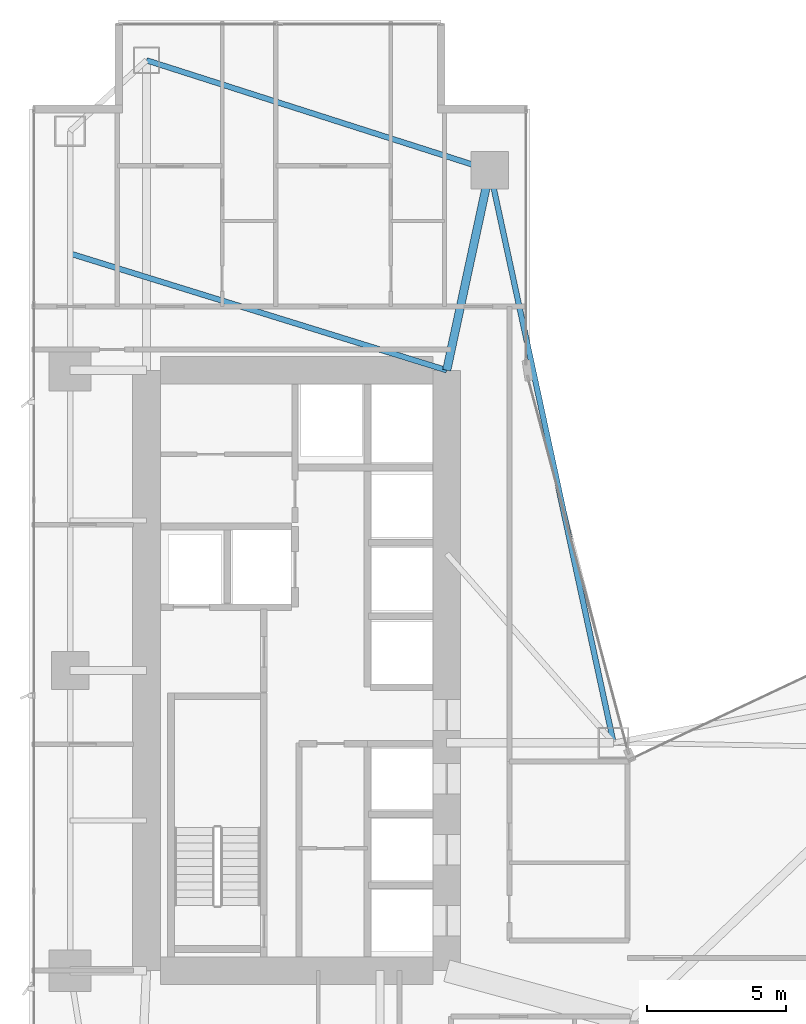
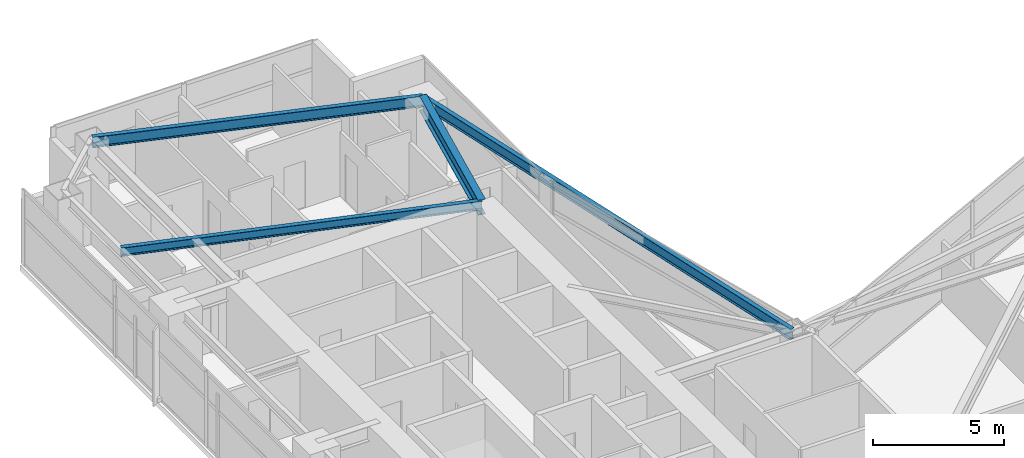
# One storey, part 16 of 28: 4 beams.
"""IFC4 building model written with IfcOpenShell, lengths in metres."""

from ifc_helpers import new_model, si_unit, direction, frame, origin, origin_2d, place, context, subcontext, project, spatial, i_section, extrude, material, material_profile, profile_set, type_object, element, save


model = new_model("IFC4")

# Units and contexts
model_context = context("Model", 3, precision=1e-05, world=origin(), true_north=direction((0.0, 1.0)))
body_context = subcontext(model_context, "Body", "Model", "MODEL_VIEW")
ifc_project = project(units=[si_unit("LENGTHUNIT", "METRE"), si_unit("AREAUNIT", "SQUARE_METRE"), si_unit("VOLUMEUNIT", "CUBIC_METRE"), si_unit("PLANEANGLEUNIT", "RADIAN"), si_unit("MASSUNIT", "GRAM", prefix="KILO")], contexts=[model_context])

# Site, building, storey
site_placement = place(None, origin())
site = spatial("IfcSite", under=ifc_project, at=site_placement, CompositionType="ELEMENT")
building_placement = place(site_placement, origin())
building = spatial("IfcBuilding", under=site, at=building_placement, Name="Calvorn Quay Hotel", CompositionType="ELEMENT")
storey_placement = place(building_placement, frame((0.0, 0.0, 42.199951171875)))
storey = spatial("IfcBuildingStorey", under=building, at=storey_placement, Name="L09", CompositionType="ELEMENT", Elevation=42.199951171875)

# Beams
ifc_material_1 = material(Name="Steel Q390GJC", Category="steel")
ifc_material_profile_1 = material_profile(ifc_material_1, i_section(OverallWidth=0.300048828125, OverallDepth=0.699951171875, WebThickness=0.012939453125, FlangeThickness=0.02392578125, FilletRadius=0.02392578125, at=origin_2d()), Name="HN700x300x13x24")
ifc_profile_set_1 = profile_set([ifc_material_profile_1], Name="Steel Q390GJC")
beam_type_1 = type_object("IfcBeamType", Name="BM-GIRD-MAIN", PredefinedType="BEAM", material=ifc_profile_set_1)
beam_1_placement = place(storey_placement, frame((16.550048828125, 45.60009765625, 3.170166015625), z_axis=(-0.210457140491, -0.97760308511, 0.0), x_axis=(0.97760308511, -0.210457140491, 0.0)))
element("IfcBeam", 1, at=beam_1_placement, inside=storey, type_object=beam_type_1, Name="Beam BG-L09-W6", PredefinedType="BEAM", context=body_context, shape_type="SweptSolid", body=[
    extrude(i_section(OverallWidth=0.300048828125, OverallDepth=0.699951171875, WebThickness=0.012939453125, FlangeThickness=0.02392578125, FilletRadius=0.02392578125, at=origin_2d()), origin(), (0.0, 0.0, 1.0), 7.365234375),
])
ifc_material_2 = material(Name="Steel Q355B", Category="steel")
ifc_material_profile_2 = material_profile(ifc_material_2, i_section(OverallWidth=0.199951171875, OverallDepth=0.39990234375, WebThickness=0.008056640625, FlangeThickness=0.012939453125, FilletRadius=0.01611328125, at=origin_2d()), Name="HN400x200x8x13")
ifc_profile_set_2 = profile_set([ifc_material_profile_2], Name="Steel Q355B")
beam_type_2 = type_object("IfcBeamType", Name="BM-JOIST-TYP", PredefinedType="JOIST", material=ifc_profile_set_2)
beam_2_placement = place(storey_placement, frame((1.449951171875, 42.60009765625, 3.320068359375), z_axis=(0.955163702122, -0.296078202759, 0.0), x_axis=(0.296078202759, 0.955163702122, 0.0)))
element("IfcBeam", 2, at=beam_2_placement, inside=storey, type_object=beam_type_2, Name="Beam BJ-L09-W2", PredefinedType="JOIST", context=body_context, shape_type="SweptSolid", body=[
    extrude(i_section(OverallWidth=0.199951171875, OverallDepth=0.39990234375, WebThickness=0.008056640625, FlangeThickness=0.012939453125, FilletRadius=0.01611328125, at=origin_2d()), origin(), (0.0, 0.0, 1.0), 14.18603515625),
])
ifc_material_3 = material(Name="Steel Q355B", Category="steel")
ifc_material_profile_3 = material_profile(ifc_material_3, i_section(OverallWidth=0.199951171875, OverallDepth=0.5, WebThickness=0.010009765625, FlangeThickness=0.01611328125, FilletRadius=0.01611328125, at=origin_2d()), Name="HN500x200x10x16")
ifc_profile_set_3 = profile_set([ifc_material_profile_3], Name="Steel Q355B")
beam_type_3 = type_object("IfcBeamType", Name="BM-SPANDREL-Z1", PredefinedType="SPANDREL", material=ifc_profile_set_3)
beam_3_placement = place(storey_placement, frame((4.199951171875, 49.550048828125, 3.27001953125), z_axis=(0.952470702374, -0.304630203885, 0.0), x_axis=(0.304630203885, 0.952470702374, 0.0)))
element("IfcBeam", 3, at=beam_3_placement, inside=storey, type_object=beam_type_3, Name="Beam BSP-L09-W6", PredefinedType="SPANDREL", context=body_context, shape_type="SweptSolid", body=[
    extrude(i_section(OverallWidth=0.199951171875, OverallDepth=0.5, WebThickness=0.010009765625, FlangeThickness=0.01611328125, FilletRadius=0.01611328125, at=origin_2d()), origin(), (0.0, 0.0, 1.0), 12.96630859375),
])
beam_4_placement = place(storey_placement, frame((16.550048828125, 45.60009765625, 3.27001953125), z_axis=(0.211145848376, -0.977454567084, 0.0), x_axis=(0.977454567084, 0.211145848376, 0.0)))
element("IfcBeam", 4, at=beam_4_placement, inside=storey, type_object=beam_type_3, Name="Beam BSP-L09-W7", PredefinedType="SPANDREL", context=body_context, shape_type="SweptSolid", body=[
    extrude(i_section(OverallWidth=0.199951171875, OverallDepth=0.5, WebThickness=0.010009765625, FlangeThickness=0.01611328125, FilletRadius=0.01611328125, at=origin_2d()), origin(), (0.0, 0.0, 1.0), 21.0751953125),
])

save(model, "model.ifc")
